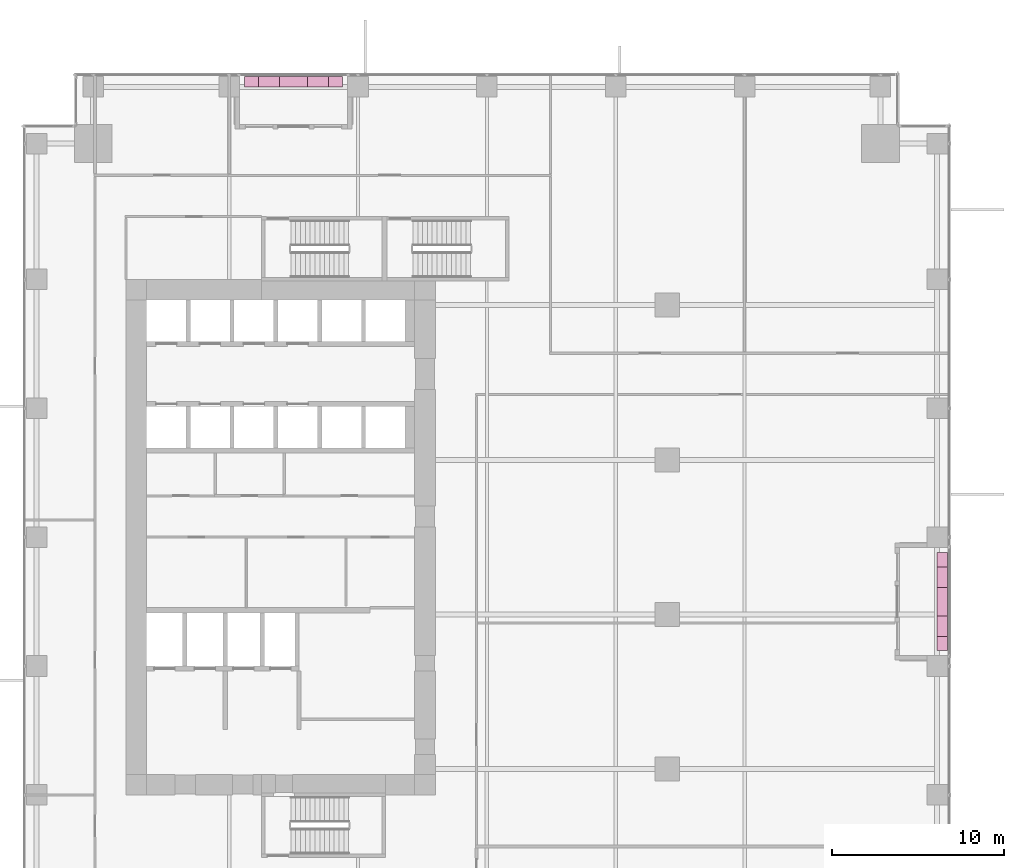
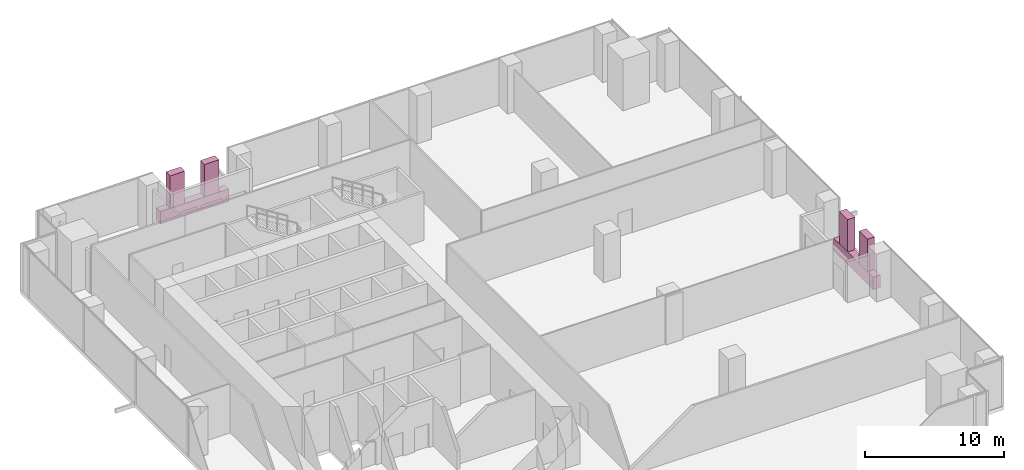
# One storey, part 33 of 33: 6 furnishings.
"""IFC4 building model written with IfcOpenShell, lengths in metres."""

import ifcopenshell
import ifcopenshell.guid

model = None  # the IFC model being written
_history = None  # IfcOwnerHistory: only IFC2X3 demands one
_inside = {}  # id of a spatial element -> (the spatial element, [elements in it])
_under = {}  # id of a project, library or spatial element -> (it, [spatial elements below it])
_declared = {}  # id of a project -> (the project, [libraries it declares])
_typed = {}  # id of a type object -> (the type object, [elements of that type])
_made_of = {}  # id of a material, layer set ... -> (it, [elements and type objects made of it])


def new_model(schema):
    """Start an empty IFC model of exactly this schema.

    Asked for "IFC4X3", IfcOpenShell would pick the latest addendum, in which some entities
    have other attributes; the version numbers below select the first issue.
    IFC2X3 requires an IfcOwnerHistory on every rooted entity: one is made here for all.
    """
    global model, _history
    if schema == "IFC4X3":
        model = ifcopenshell.file(schema_version=(4, 3, 0, 0))
    else:
        model = ifcopenshell.file(schema=schema)
    _inside.clear()
    _under.clear()
    _declared.clear()
    _typed.clear()
    _made_of.clear()
    _history = None
    if model.schema == "IFC2X3":
        org = make("IfcOrganization", Name="unknown")
        user = make(
            "IfcPersonAndOrganization",
            ThePerson=make("IfcPerson", FamilyName="unknown"),
            TheOrganization=org,
        )
        app = make(
            "IfcApplication",
            ApplicationDeveloper=org,
            Version="unknown",
            ApplicationFullName="unknown",
            ApplicationIdentifier="unknown",
        )
        _history = make(
            "IfcOwnerHistory",
            OwningUser=user,
            OwningApplication=app,
            ChangeAction="ADDED",
            CreationDate=0,
        )
    return model


def make(cls, **values):
    """One entity of the class cls with the attributes given. An attribute that is None is left unset."""
    return model.create_entity(
        cls, **{name: value for name, value in values.items() if value is not None}
    )


def rooted(cls, **values):
    """An entity with a GlobalId (a new one), such as an element, a storey or a relation."""
    return make(cls, GlobalId=ifcopenshell.guid.new(), OwnerHistory=_history, **values)


def si_unit(unit_type, name, prefix=None):
    """IfcSIUnit, for example si_unit("LENGTHUNIT", "METRE", prefix="MILLI")."""
    return make("IfcSIUnit", UnitType=unit_type, Prefix=prefix, Name=name)


def assignment(units):
    """IfcUnitAssignment: the units of a project."""
    return None if units is None else make("IfcUnitAssignment", Units=units)


def point(xyz):
    """IfcCartesianPoint."""
    return None if xyz is None else make("IfcCartesianPoint", Coordinates=xyz)


def direction(xyz):
    """IfcDirection."""
    return None if xyz is None else make("IfcDirection", DirectionRatios=xyz)


def frame(location, z_axis=None, x_axis=None):
    """IfcAxis2Placement3D, a coordinate frame: its origin and axes. An axis left out is left unset."""
    return make(
        "IfcAxis2Placement3D",
        Location=point(location),
        Axis=direction(z_axis),
        RefDirection=direction(x_axis),
    )


def frame_2d(location, x_axis=None):
    """IfcAxis2Placement2D, a coordinate frame in the plane: its origin and x axis."""
    return make(
        "IfcAxis2Placement2D", Location=point(location), RefDirection=direction(x_axis)
    )


def origin():
    """The frame at (0, 0, 0) with its axes left unset."""
    return frame((0.0, 0.0, 0.0))


def origin_2d():
    """The frame at (0, 0) in the plane with its x axis left unset."""
    return frame_2d((0.0, 0.0))


def place(relative_to, where):
    """IfcLocalPlacement: puts the frame where relative to a parent placement (None: the world)."""
    return make(
        "IfcLocalPlacement", PlacementRelTo=relative_to, RelativePlacement=where
    )


def context(
    kind, dimensions, precision=None, world=None, true_north=None, identifier=None
):
    """IfcGeometricRepresentationContext, for example the 3D "Model" context."""
    return make(
        "IfcGeometricRepresentationContext",
        ContextIdentifier=identifier,
        ContextType=kind,
        CoordinateSpaceDimension=dimensions,
        Precision=precision,
        WorldCoordinateSystem=world,
        TrueNorth=true_north,
    )


def subcontext(parent, identifier, kind, view, scale=None):
    """IfcGeometricRepresentationSubContext, for example "Body" below "Model"."""
    return make(
        "IfcGeometricRepresentationSubContext",
        ContextIdentifier=identifier,
        ContextType=kind,
        ParentContext=parent,
        TargetScale=scale,
        TargetView=view,
    )


def project(units=None, contexts=None):
    """IfcProject with its units and contexts."""
    return rooted(
        "IfcProject",
        Name="project",
        RepresentationContexts=contexts,
        UnitsInContext=assignment(units),
    )


def spatial(cls, under=None, at=None, **own):
    """A site, building, storey or space (cls), placed at a placement, below another one or the project."""
    s = rooted(cls, ObjectPlacement=at, **own)
    if under is not None:
        _under.setdefault(under.id(), (under, []))[1].append(s)
    return s


def profile(cls, at=None, kind="AREA", **sizes):
    """A parametric profile (cls). Its sizes go by their IFC names, for example OverallWidth=200.0."""
    return make(cls, ProfileType=kind, Position=at, **sizes)


def rectangle(**sizes):
    """IfcRectangleProfileDef."""
    return profile("IfcRectangleProfileDef", **sizes)


def extrude(swept, where, along, depth):
    """IfcExtrudedAreaSolid: the profile swept, set in the frame where, extruded along a direction by depth."""
    return make(
        "IfcExtrudedAreaSolid",
        SweptArea=swept,
        Position=where,
        ExtrudedDirection=direction(along),
        Depth=depth,
    )


def shape(context_of_items, identifier, shape_type, items):
    """IfcShapeRepresentation: the items that make up one representation, for example the "Body"."""
    return make(
        "IfcShapeRepresentation",
        ContextOfItems=context_of_items,
        RepresentationIdentifier=identifier,
        RepresentationType=shape_type,
        Items=items,
    )


def source(mapping_origin, context_of_items, identifier, shape_type, items):
    """IfcRepresentationMap: a shape defined once, which mapped items show again and again."""
    return make(
        "IfcRepresentationMap",
        MappingOrigin=mapping_origin,
        MappedRepresentation=shape(context_of_items, identifier, shape_type, items),
    )


def transform(
    local_origin,
    x_axis=None,
    y_axis=None,
    z_axis=None,
    scale=None,
    scale2=None,
    scale3=None,
    uniform=True,
):
    """IfcCartesianTransformationOperator3D, or its non-uniform kind. x_axis, y_axis, z_axis: its Axis1, 2, 3."""
    if uniform:
        return make(
            "IfcCartesianTransformationOperator3D",
            Axis1=direction(x_axis),
            Axis2=direction(y_axis),
            LocalOrigin=point(local_origin),
            Scale=scale,
            Axis3=direction(z_axis),
        )
    return make(
        "IfcCartesianTransformationOperator3DnonUniform",
        Axis1=direction(x_axis),
        Axis2=direction(y_axis),
        LocalOrigin=point(local_origin),
        Scale=scale,
        Axis3=direction(z_axis),
        Scale2=scale2,
        Scale3=scale3,
    )


def mapped(mapping_source, mapping_target):
    """IfcMappedItem: shows the shape of a source again, moved by a transform."""
    return make(
        "IfcMappedItem", MappingSource=mapping_source, MappingTarget=mapping_target
    )


def material(Name=None, Category=None):
    """IfcMaterial."""
    return make("IfcMaterial", Name=Name, Category=Category)


def made_of(thing, what):
    """Note that an element or type object is made of a material, layer set ...; save() writes the relation."""
    if what is not None:
        _made_of.setdefault(what.id(), (what, []))[1].append(thing)
    return thing


def type_object(cls, material=None, **own):
    """A type object (cls), such as IfcWallType, which elements share."""
    return made_of(rooted(cls, **own), material)


def element(
    cls,
    number,
    at=None,
    inside=None,
    cuts=None,
    type_object=None,
    material=None,
    context=None,
    identifier="Body",
    shape_type=None,
    held_by="IfcProductDefinitionShape",
    body=None,
    shapes=None,
    **own,
):
    """One element of the class cls, such as IfcWall. Its Tag is "e" and its number.

    at: its placement. inside: the storey or other place that contains it. cuts: it is an
    opening in that element (IfcRelVoidsElement). A single representation is given by context,
    identifier, shape_type and body (its items); several are given by shapes. held_by: the class
    of the entity that holds the representations. save() writes the other relations.
    """
    e = rooted(cls, Tag="e%d" % number, ObjectPlacement=at, **own)
    if body is not None:
        shapes = [shape(context, identifier, shape_type, body)]
    if shapes is not None:
        e.Representation = make(held_by, Representations=shapes)
    if inside is not None:
        _inside.setdefault(inside.id(), (inside, []))[1].append(e)
    if cuts is not None:
        rooted(
            "IfcRelVoidsElement", RelatingBuildingElement=cuts, RelatedOpeningElement=e
        )
    if type_object is not None:
        _typed.setdefault(type_object.id(), (type_object, []))[1].append(e)
    return made_of(e, material)


def aggregate(whole, parts):
    """IfcRelAggregates: a whole, such as a stair, and the parts it consists of."""
    return rooted("IfcRelAggregates", RelatingObject=whole, RelatedObjects=parts)


def save(model, path):
    """Write the relations noted so far, then the file.

    IfcRelAggregates (storeys below a building ...), IfcRelContainedInSpatialStructure (elements
    in a storey), IfcRelDefinesByType, IfcRelAssociatesMaterial and IfcRelDeclares: one each for
    every whole, place, type object, material and project.
    """
    for whole, parts in _under.values():
        aggregate(whole, parts)
    for where, things in _inside.values():
        rooted(
            "IfcRelContainedInSpatialStructure",
            RelatedElements=things,
            RelatingStructure=where,
        )
    for kind, things in _typed.values():
        rooted("IfcRelDefinesByType", RelatedObjects=things, RelatingType=kind)
    for what, things in _made_of.values():
        rooted("IfcRelAssociatesMaterial", RelatedObjects=things, RelatingMaterial=what)
    for by, libraries in _declared.values():
        rooted("IfcRelDeclares", RelatingContext=by, RelatedDefinitions=libraries)
    model.write(path)


model = new_model("IFC4")

# Units and contexts
model_context = context("Model", 3, precision=1e-05, world=origin(), true_north=direction((0.0, 1.0)))
body_context = subcontext(model_context, "Body", "Model", "MODEL_VIEW")
ifc_project = project(units=[si_unit("LENGTHUNIT", "METRE"), si_unit("AREAUNIT", "SQUARE_METRE"), si_unit("VOLUMEUNIT", "CUBIC_METRE"), si_unit("PLANEANGLEUNIT", "RADIAN"), si_unit("MASSUNIT", "GRAM", prefix="KILO")], contexts=[model_context])

# Site, building, storey
site_placement = place(None, origin())
site = spatial("IfcSite", under=ifc_project, at=site_placement, CompositionType="ELEMENT")
building_placement = place(site_placement, origin())
building = spatial("IfcBuilding", under=site, at=building_placement, Name="Khomas Fold Tower", CompositionType="ELEMENT")
storey_placement = place(building_placement, frame((0.0, 0.0, 82.5)))
storey = spatial("IfcBuildingStorey", under=building, at=storey_placement, Name="L17", CompositionType="ELEMENT", Elevation=82.5)

# Furnishings
ifc_material_1 = material(Name="Precast concrete C40/50", Category="concrete")
furnishing_element_type_1 = type_object("IfcFurnishingElementType", Name="BL-Structural planter box", material=ifc_material_1)
shared_shape_1 = source(origin(), body_context, "Body", "SweptSolid", [
    extrude(rectangle(XDim=5.699951171875, YDim=0.60009765625, at=origin_2d()), origin(), (0.0, 0.0, 1.0), 1.10009765625),
])
for number, where, z_axis, x_axis, name in (
    (1, (53.5, 23.25, -0.045166015625), (0.0, 0.0, 1.0), (0.0, 1.0, 0.0), "PLANTER BAL-L17-E2"),
    (2, (15.75, 53.5, -0.045166015625), (0.0, 0.0, 1.0), (1.0, 0.0, 0.0), "PLANTER BAL-L17-N1"),
):
    element("IfcFurnishingElement", number, at=place(storey_placement, frame(where, z_axis=z_axis, x_axis=x_axis)), inside=storey, type_object=furnishing_element_type_1, Name=name, context=body_context, shape_type="MappedRepresentation", body=[
        mapped(shared_shape_1, transform((0.0, 0.0, 0.0))),
    ])
ifc_material_2 = material(Name="Planting")
furnishing_element_type_2 = type_object("IfcFurnishingElementType", Name="BL-Tree Wild olive", material=ifc_material_2)
shared_shape_2 = source(origin(), body_context, "Body", "SweptSolid", [
    extrude(rectangle(XDim=1.199951171875, YDim=0.60009765625, at=origin_2d()), origin(), (0.0, 0.0, 1.0), 2.844970703125),
])
furnishing_1_placement = place(storey_placement, frame((53.5, 21.824951171875, 1.05517578125), z_axis=(0.0, 0.0, 1.0), x_axis=(0.0, 1.0, 0.0)))
element("IfcFurnishingElement", 3, at=furnishing_1_placement, inside=storey, type_object=furnishing_element_type_2, Name="PLANTER (TREE) Wild olive BAL-L17-E2-1", context=body_context, shape_type="MappedRepresentation", body=[
    mapped(shared_shape_2, transform((0.0, 0.0, 0.0))),
])
ifc_material_3 = material(Name="Planting")
furnishing_element_type_3 = type_object("IfcFurnishingElementType", Name="BL-Tree Shepherd's tree", material=ifc_material_3)
furnishing_2_placement = place(storey_placement, frame((53.5, 24.675048828125, 1.05517578125), z_axis=(0.0, 0.0, 1.0), x_axis=(0.0, 1.0, 0.0)))
element("IfcFurnishingElement", 4, at=furnishing_2_placement, inside=storey, type_object=furnishing_element_type_3, Name="PLANTER (TREE) Shepherd's tree BAL-L17-E2-2", context=body_context, shape_type="MappedRepresentation", body=[
    mapped(shared_shape_2, transform((0.0, 0.0, 0.0))),
])
furnishing_3_placement = place(storey_placement, frame((14.324951171875, 53.5, 1.05517578125), z_axis=(0.0, 0.0, 1.0), x_axis=(1.0, 0.0, 0.0)))
element("IfcFurnishingElement", 5, at=furnishing_3_placement, inside=storey, type_object=furnishing_element_type_2, Name="PLANTER (TREE) Wild olive BAL-L17-N1-1", context=body_context, shape_type="MappedRepresentation", body=[
    mapped(shared_shape_2, transform((0.0, 0.0, 0.0))),
])
furnishing_4_placement = place(storey_placement, frame((17.175048828125, 53.5, 1.05517578125), z_axis=(0.0, 0.0, 1.0), x_axis=(1.0, 0.0, 0.0)))
element("IfcFurnishingElement", 6, at=furnishing_4_placement, inside=storey, type_object=furnishing_element_type_3, Name="PLANTER (TREE) Shepherd's tree BAL-L17-N1-2", context=body_context, shape_type="MappedRepresentation", body=[
    mapped(shared_shape_2, transform((0.0, 0.0, 0.0))),
])

save(model, "model.ifc")
